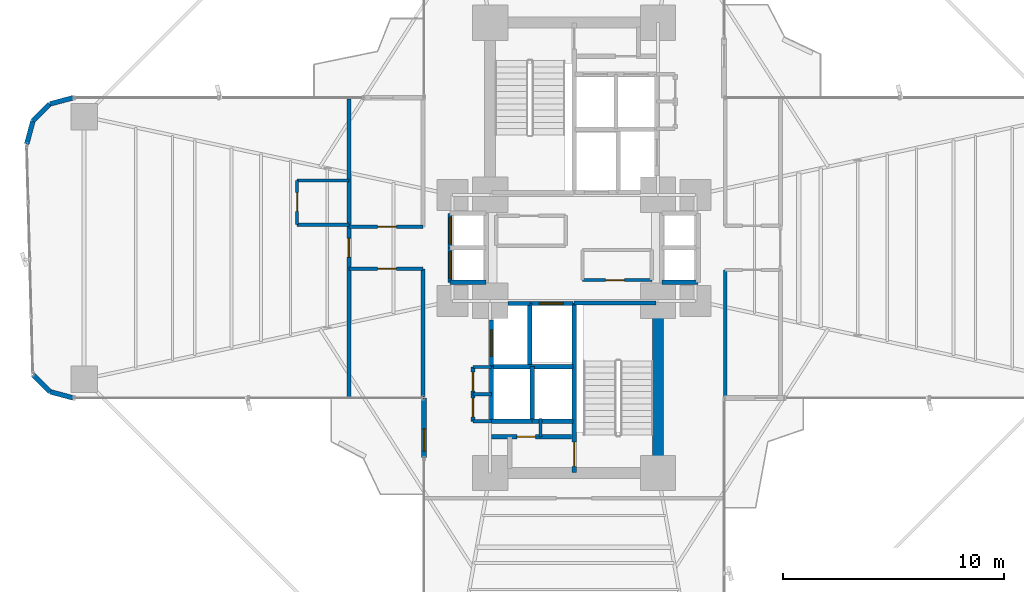
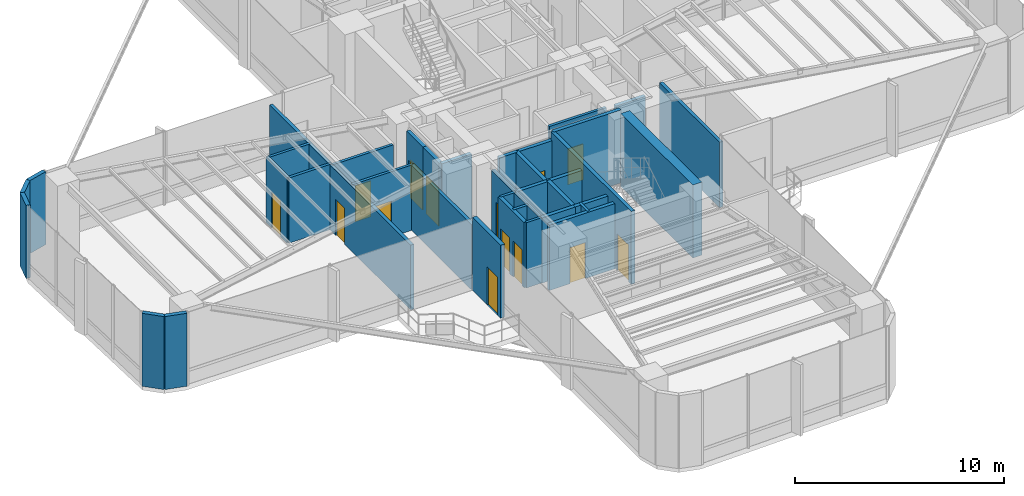
# One storey, part 16 of 20: 37 walls, 14 doors, 14 openings.
"""IFC4 building model written with IfcOpenShell, lengths in metres."""

from ifc_helpers import new_model, si_unit, direction, frame, frame_2d, origin, origin_2d, place, context, subcontext, project, spatial, rectangle, extrude, source, transform, mapped, material, layer, layer_set, type_object, element, fill, save


model = new_model("IFC4")

# Units and contexts
model_context = context("Model", 3, precision=1e-05, world=origin(), true_north=direction((0.0, 1.0)))
body_context = subcontext(model_context, "Body", "Model", "MODEL_VIEW")
ifc_project = project(units=[si_unit("LENGTHUNIT", "METRE"), si_unit("AREAUNIT", "SQUARE_METRE"), si_unit("VOLUMEUNIT", "CUBIC_METRE"), si_unit("PLANEANGLEUNIT", "RADIAN"), si_unit("MASSUNIT", "GRAM", prefix="KILO")], contexts=[model_context])

# Site, building, storey
site_placement = place(None, origin())
site = spatial("IfcSite", under=ifc_project, at=site_placement, CompositionType="ELEMENT")
building_placement = place(site_placement, origin())
building = spatial("IfcBuilding", under=site, at=building_placement, Name="Sahyath Konkavel Grand Hotel", CompositionType="ELEMENT")
storey_placement = place(building_placement, frame((0.0, 0.0, 46.550048828125)))
storey = spatial("IfcBuildingStorey", under=building, at=storey_placement, Name="L12", CompositionType="ELEMENT", Elevation=46.550048828125)

# Walls
ifc_material_1 = material(Name="Concrete C70/85", Category="concrete")
ifc_layer_1 = layer(ifc_material_1, 0.5)
ifc_layer_set_1 = layer_set([ifc_layer_1], Name="Concrete C70/85")
wall_type_1 = type_object("IfcWallType", Name="CWALL-500", PredefinedType="SHEAR", material=ifc_layer_set_1)
wall_1_placement = place(storey_placement, frame((3.800048828125, -9.75, 0.0), z_axis=(0.0, 0.0, 1.0), x_axis=(0.0, 1.0, 0.0)))
element("IfcWall", 1, at=wall_1_placement, inside=storey, type_object=wall_type_1, Name="L12 South Core Shear Wall E", PredefinedType="SHEAR", context=body_context, shape_type="SweptSolid", body=[
    extrude(rectangle(XDim=6.89990234375, YDim=0.5, at=frame_2d((3.449951171875, 0.0))), origin(), (0.0, 0.0, 1.0), 4.260009765625),
])
ifc_material_2 = material(Name="Warm Buff Sandstone Insulated Concrete C40/50", Category="masonry")
ifc_layer_2 = layer(ifc_material_2, 0.219970703125)
ifc_layer_set_2 = layer_set([ifc_layer_2], Name="Warm Buff Sandstone Insulated Concrete C40/50")
wall_type_2 = type_object("IfcWallType", Name="WLL-BALC-THRESH", PredefinedType="STANDARD", material=ifc_layer_set_2)
for number, where, z_axis, x_axis, name in (
    (2, (-22.699951171875, 6.800048828125, 0.0), (0.0, 0.0, 1.0), (-0.965951058412, -0.25872485917, 0.0), "L12 Rounded Corner Sandstone Pier 17"),
    (3, (-23.75, 6.518798828125, 0.0), (0.0, 0.0, 1.0), (-0.707106781187, -0.707106781187, 0.0), "L12 Rounded Corner Sandstone Pier 18"),
    (4, (-24.518798828125, 5.75, 0.0), (0.0, 0.0, 1.0), (-0.25872485917, -0.965951058412, 0.0), "L12 Rounded Corner Sandstone Pier 19"),
    (5, (-24.518798828125, -5.75, 0.0), (0.0, 0.0, 1.0), (0.707106781187, -0.707106781187, 0.0), "L12 Rounded Corner Sandstone Pier 21"),
    (6, (-23.75, -6.518798828125, 0.0), (0.0, 0.0, 1.0), (0.965951058412, -0.25872485917, 0.0), "L12 Rounded Corner Sandstone Pier 22"),
):
    element("IfcWall", number, at=place(storey_placement, frame(where, z_axis=z_axis, x_axis=x_axis)), inside=storey, type_object=wall_type_2, Name=name, PredefinedType="STANDARD", context=body_context, shape_type="SweptSolid", body=[
        extrude(rectangle(XDim=1.087158203125, YDim=0.219970703125, at=frame_2d((0.54345703125, 0.0))), origin(), (0.0, 0.0, 1.0), 4.260009765625),
    ])

# Wall, opening, door
wall_2_placement = place(storey_placement, frame((-6.800048828125, -6.800048828125, 0.0), z_axis=(0.0, 0.0, 1.0), x_axis=(0.0, -1.0, 0.0)))
wall_2 = element("IfcWall", 7, at=wall_2_placement, inside=storey, type_object=wall_type_2, Name="L12 Winter-Garden Threshold Wall 24", PredefinedType="STANDARD", context=body_context, shape_type="SweptSolid", body=[
    extrude(rectangle(XDim=2.699951171875, YDim=0.219970703125, at=frame_2d((1.35009765625, 0.0))), origin(), (0.0, 0.0, 1.0), 4.260009765625),
])
opening_1_placement = place(wall_2_placement, frame((1.39990234375, 0.0, 0.0)))
opening_1 = element("IfcOpeningElement", 8, at=opening_1_placement, cuts=wall_2, Name="Opening D-TR1", PredefinedType="OPENING", context=body_context, shape_type="SweptSolid", body=[
    extrude(rectangle(XDim=1.0, YDim=2.199951171875, at=frame_2d((0.5, 1.10009765625))), frame((0.0, 0.1201171875, 0.0), z_axis=(0.0, -1.0, 0.0), x_axis=(1.0, 0.0, 0.0)), (0.0, 0.0, 1.0), 0.239990234375),
])
ifc_material_3 = material(Name="Anodised Bronze Aluminium & Low-E Glazing", Category="aluminium")
door_type_1 = type_object("IfcDoorType", Name="DR-TERRACE-1000", OperationType="NOTDEFINED", PredefinedType="DOOR", material=ifc_material_3)
shared_shape_1 = source(origin(), body_context, "Body", "SweptSolid", [
    extrude(rectangle(XDim=1.0, YDim=0.050048828125, at=origin_2d()), origin(), (0.0, 0.0, 1.0), 2.199951171875),
])
door_1_placement = place(opening_1_placement, frame((0.5, 0.0, 0.0)))
door_1 = element("IfcDoor", 9, at=door_1_placement, inside=storey, type_object=door_type_1, Name="L12 Winter-Garden Terrace Door 24", OperationType="SINGLE_SWING_LEFT", OverallHeight=2.199951171875, OverallWidth=1.0, PredefinedType="DOOR", context=body_context, shape_type="MappedRepresentation", body=[
    mapped(shared_shape_1, transform((0.0, 0.0, 0.0), scale=1.0)),
])
fill(opening_1, door_1)

ifc_material_4 = material(Name="Concrete C40/50", Category="concrete")
ifc_layer_3 = layer(ifc_material_4, 0.199951171875)
ifc_layer_set_3 = layer_set([ifc_layer_3], Name="Concrete C40/50")
wall_type_3 = type_object("IfcWallType", Name="WLL-CORE-200", PredefinedType="SOLIDWALL", material=ifc_layer_set_3)
wall_3_placement = place(storey_placement, frame((0.0, -10.179931640625, 0.0), z_axis=(0.0, 0.0, 1.0), x_axis=(0.0, 1.0, 0.0)))
wall_3 = element("IfcWall", 10, at=wall_3_placement, inside=storey, type_object=wall_type_3, Name="L12 Stair ST-2 Shaft Wall W", PredefinedType="SOLIDWALL", context=body_context, shape_type="SweptSolid", body=[
    extrude(rectangle(XDim=7.679931640625, YDim=0.199951171875, at=frame_2d((3.83984375, 0.0))), origin(), (0.0, 0.0, 1.0), 4.260009765625),
])
opening_2_placement = place(wall_3_placement, frame((0.280029296875, 0.0, 0.0)))
opening_2 = element("IfcOpeningElement", 11, at=opening_2_placement, cuts=wall_3, Name="Opening D-F12B", PredefinedType="OPENING", context=body_context, shape_type="SweptSolid", body=[
    extrude(rectangle(XDim=1.10009765625, YDim=2.14990234375, at=frame_2d((0.550048828125, 1.074951171875))), frame((0.0, 0.10986328125, 0.0), z_axis=(0.0, -1.0, 0.0), x_axis=(1.0, 0.0, 0.0)), (0.0, 0.0, 1.0), 0.219970703125),
])
ifc_material_5 = material(Name="Steel E350 Smokeproof Fire Door", Category="steel")
door_type_2 = type_object("IfcDoorType", Name="DR-FD120-1100", OperationType="NOTDEFINED", PredefinedType="DOOR", material=ifc_material_5)
shared_shape_2 = source(origin(), body_context, "Body", "SweptSolid", [
    extrude(rectangle(XDim=1.10009765625, YDim=0.050048828125, at=origin_2d()), origin(), (0.0, 0.0, 1.0), 2.14990234375),
])
door_2_placement = place(opening_2_placement, frame((0.550048828125, 0.0, 0.0)))
door_2 = element("IfcDoor", 12, at=door_2_placement, inside=storey, type_object=door_type_2, Name="L12 Stair ST-2 Fire Door", OperationType="SINGLE_SWING_RIGHT", OverallHeight=2.14990234375, OverallWidth=1.10009765625, PredefinedType="DOOR", context=body_context, shape_type="MappedRepresentation", body=[
    mapped(shared_shape_2, transform((0.0, 0.0, 0.0), scale=1.0)),
])
fill(opening_2, door_2)

# Walls
wall_4_placement = place(storey_placement, frame((0.0, -2.5, 0.0), z_axis=(0.0, 0.0, 1.0), x_axis=(1.0, 0.0, 0.0)))
element("IfcWall", 13, at=wall_4_placement, inside=storey, type_object=wall_type_3, Name="L12 Stair ST-2 Shaft Wall N", PredefinedType="SOLIDWALL", context=body_context, shape_type="SweptSolid", body=[
    extrude(rectangle(XDim=3.719970703125, YDim=0.199951171875, at=frame_2d((1.85986328125, 0.0))), origin(), (0.0, 0.0, 1.0), 4.260009765625),
])
wall_5_placement = place(storey_placement, frame((-2.0, -5.280029296875, 0.0), z_axis=(0.0, 0.0, 1.0), x_axis=(0.0, 1.0, 0.0)))
element("IfcWall", 14, at=wall_5_placement, inside=storey, type_object=wall_type_3, Name="L12 Partition SH-FFL2-W", PredefinedType="SOLIDWALL", context=body_context, shape_type="SweptSolid", body=[
    extrude(rectangle(XDim=2.780029296875, YDim=0.199951171875, at=frame_2d((1.39013671875, 0.0))), origin(), (0.0, 0.0, 1.0), 3.81005859375),
])

# Wall, opening, door
wall_6_placement = place(storey_placement, frame((-2.0, -2.52001953125, 0.0), z_axis=(0.0, 0.0, 1.0), x_axis=(1.0, 0.0, 0.0)))
wall_6 = element("IfcWall", 15, at=wall_6_placement, inside=storey, type_object=wall_type_3, Name="L12 Partition SH-FFL2-N", PredefinedType="SOLIDWALL", context=body_context, shape_type="SweptSolid", body=[
    extrude(rectangle(XDim=1.949951171875, YDim=0.199951171875, at=frame_2d((0.97509765625, 0.0))), origin(), (0.0, 0.0, 1.0), 3.81005859375),
])
opening_3_placement = place(wall_6_placement, frame((0.419921875, 0.0, 0.0)))
opening_3 = element("IfcOpeningElement", 16, at=opening_3_placement, cuts=wall_6, Name="Opening LD-11", PredefinedType="OPENING", context=body_context, shape_type="SweptSolid", body=[
    extrude(rectangle(XDim=1.10009765625, YDim=2.199951171875, at=frame_2d((0.550048828125, 1.10009765625))), frame((0.0, 0.10986328125, 0.0), z_axis=(0.0, -1.0, 0.0), x_axis=(1.0, 0.0, 0.0)), (0.0, 0.0, 1.0), 0.219970703125),
])
ifc_material_6 = material(Name="Bronze Lift Landing Door 1100")
door_type_3 = type_object("IfcDoorType", Name="DR-LIFT-1100", OperationType="DOUBLE_DOOR_SLIDING", PredefinedType="DOOR", material=ifc_material_6)
shared_shape_3 = source(origin(), body_context, "Body", "SweptSolid", [
    extrude(rectangle(XDim=1.10009765625, YDim=0.050048828125, at=origin_2d()), origin(), (0.0, 0.0, 1.0), 2.199951171875),
])
door_3_placement = place(opening_3_placement, frame((0.550048828125, 0.0, 0.0)))
door_3 = element("IfcDoor", 17, at=door_3_placement, inside=storey, type_object=door_type_3, Name="L12 Lift FFL-2 Landing Door", OperationType="DOUBLE_DOOR_SLIDING", OverallHeight=2.199951171875, OverallWidth=1.10009765625, PredefinedType="DOOR", context=body_context, shape_type="MappedRepresentation", body=[
    mapped(shared_shape_3, transform((0.0, 0.0, 0.0), scale=1.0)),
])
fill(opening_3, door_3)

# Wall
wall_7_placement = place(storey_placement, frame((-3.0, -2.52001953125, 0.0), z_axis=(0.0, 0.0, 1.0), x_axis=(1.0, 0.0, 0.0)))
element("IfcWall", 18, at=wall_7_placement, inside=storey, type_object=wall_type_3, Name="L12 Partition SH-SVL2-N", PredefinedType="SOLIDWALL", context=body_context, shape_type="SweptSolid", body=[
    extrude(rectangle(XDim=1.0, YDim=0.199951171875, at=frame_2d((0.5, 0.0))), origin(), (0.0, 0.0, 1.0), 3.81005859375),
])

# Wall, opening, door
wall_8_placement = place(storey_placement, frame((-3.739990234375, -5.360107421875, 0.0), z_axis=(0.0, 0.0, 1.0), x_axis=(0.0, 1.0, 0.0)))
wall_8 = element("IfcWall", 19, at=wall_8_placement, inside=storey, type_object=wall_type_3, Name="L12 Partition SH-SVL2-W", PredefinedType="SOLIDWALL", context=body_context, shape_type="SweptSolid", body=[
    extrude(rectangle(XDim=2.080078125, YDim=0.199951171875, at=frame_2d((1.0400390625, 0.0))), origin(), (0.0, 0.0, 1.0), 3.81005859375),
])
opening_4_placement = place(wall_8_placement, frame((0.43994140625, 0.0, 0.0)))
opening_4 = element("IfcOpeningElement", 20, at=opening_4_placement, cuts=wall_8, Name="Opening LD-12", PredefinedType="OPENING", context=body_context, shape_type="SweptSolid", body=[
    extrude(rectangle(XDim=1.199951171875, YDim=2.199951171875, at=frame_2d((0.60009765625, 1.10009765625))), frame((0.0, 0.10986328125, 0.0), z_axis=(0.0, -1.0, 0.0), x_axis=(1.0, 0.0, 0.0)), (0.0, 0.0, 1.0), 0.219970703125),
])
ifc_material_7 = material(Name="Stainless Steel Lift Landing Door 1200", Category="steel")
door_type_4 = type_object("IfcDoorType", Name="DR-LIFT-1200", OperationType="DOUBLE_DOOR_SLIDING", PredefinedType="DOOR", material=ifc_material_7)
shared_shape_4 = source(origin(), body_context, "Body", "SweptSolid", [
    extrude(rectangle(XDim=1.199951171875, YDim=0.050048828125, at=origin_2d()), origin(), (0.0, 0.0, 1.0), 2.199951171875),
])
door_4_placement = place(opening_4_placement, frame((0.60009765625, 0.0, 0.0)))
door_4 = element("IfcDoor", 21, at=door_4_placement, inside=storey, type_object=door_type_4, Name="L12 Service Lift SVL-2 Landing Door", OperationType="DOUBLE_DOOR_SLIDING", OverallHeight=2.199951171875, OverallWidth=1.199951171875, PredefinedType="DOOR", context=body_context, shape_type="MappedRepresentation", body=[
    mapped(shared_shape_4, transform((0.0, 0.0, 0.0), scale=1.0)),
])
fill(opening_4, door_4)

# Walls
wall_9_placement = place(storey_placement, frame((-3.739990234375, -7.860107421875, 0.0), z_axis=(0.0, 0.0, 1.0), x_axis=(0.0, 1.0, 0.0)))
element("IfcWall", 22, at=wall_9_placement, inside=storey, type_object=wall_type_3, Name="L12 Partition SH-PL3-W", PredefinedType="SOLIDWALL", context=body_context, shape_type="SweptSolid", body=[
    extrude(rectangle(XDim=2.480224609375, YDim=0.199951171875, at=frame_2d((1.240234375, 0.0))), origin(), (0.0, 0.0, 1.0), 3.81005859375),
])
wall_10_placement = place(storey_placement, frame((-3.739990234375, -7.860107421875, 0.0), z_axis=(0.0, 0.0, 1.0), x_axis=(1.0, 0.0, 0.0)))
element("IfcWall", 23, at=wall_10_placement, inside=storey, type_object=wall_type_3, Name="L12 Partition SH-PL3-S", PredefinedType="SOLIDWALL", context=body_context, shape_type="SweptSolid", body=[
    extrude(rectangle(XDim=1.840087890625, YDim=0.199951171875, at=frame_2d((0.919921875, 0.0))), origin(), (0.0, 0.0, 1.0), 3.81005859375),
])
wall_11_placement = place(storey_placement, frame((-3.739990234375, -5.3798828125, 0.0), z_axis=(0.0, 0.0, 1.0), x_axis=(1.0, 0.0, 0.0)))
element("IfcWall", 24, at=wall_11_placement, inside=storey, type_object=wall_type_3, Name="L12 Partition SH-PL34-N", PredefinedType="SOLIDWALL", context=body_context, shape_type="SweptSolid", body=[
    extrude(rectangle(XDim=3.68994140625, YDim=0.199951171875, at=frame_2d((1.844970703125, 0.0))), origin(), (0.0, 0.0, 1.0), 3.81005859375),
])
wall_12_placement = place(storey_placement, frame((-1.89990234375, -7.860107421875, 0.0), z_axis=(0.0, 0.0, 1.0), x_axis=(0.0, 1.0, 0.0)))
element("IfcWall", 25, at=wall_12_placement, inside=storey, type_object=wall_type_3, Name="L12 Partition SH-PL34-M", PredefinedType="SOLIDWALL", context=body_context, shape_type="SweptSolid", body=[
    extrude(rectangle(XDim=2.480224609375, YDim=0.199951171875, at=frame_2d((1.240234375, 0.0))), origin(), (0.0, 0.0, 1.0), 3.81005859375),
])
wall_13_placement = place(storey_placement, frame((-1.89990234375, -7.860107421875, 0.0), z_axis=(0.0, 0.0, 1.0), x_axis=(1.0, 0.0, 0.0)))
element("IfcWall", 26, at=wall_13_placement, inside=storey, type_object=wall_type_3, Name="L12 Partition SH-PL4-S", PredefinedType="SOLIDWALL", context=body_context, shape_type="SweptSolid", body=[
    extrude(rectangle(XDim=1.849853515625, YDim=0.199951171875, at=frame_2d((0.9248046875, 0.0))), origin(), (0.0, 0.0, 1.0), 3.81005859375),
])
for number, where, z_axis, x_axis, name in (
    (27, (3.97998046875, -1.56005859375, 0.0), (0.0, 0.0, 1.0), (1.0, 0.0, 0.0), "L12 Partition SH-PL56-S"),
    (28, (-5.6201171875, -1.56005859375, 0.0), (0.0, 0.0, 1.0), (1.0, 0.0, 0.0), "L12 Partition SH-SL12-S"),
):
    element("IfcWall", number, at=place(storey_placement, frame(where, z_axis=z_axis, x_axis=x_axis)), inside=storey, type_object=wall_type_3, Name=name, PredefinedType="SOLIDWALL", context=body_context, shape_type="SweptSolid", body=[
        extrude(rectangle(XDim=1.64013671875, YDim=0.199951171875, at=frame_2d((0.820068359375, 0.0))), origin(), (0.0, 0.0, 1.0), 3.81005859375),
    ])

# Wall, opening, door
wall_14_placement = place(storey_placement, frame((-5.6201171875, 0.0, 0.0), z_axis=(0.0, 0.0, 1.0), x_axis=(0.0, 1.0, 0.0)))
wall_14 = element("IfcWall", 29, at=wall_14_placement, inside=storey, type_object=wall_type_3, Name="L12 Partition SH-SL1-W", PredefinedType="SOLIDWALL", context=body_context, shape_type="SweptSolid", body=[
    extrude(rectangle(XDim=1.56005859375, YDim=0.199951171875, at=frame_2d((0.780029296875, 0.0))), origin(), (0.0, 0.0, 1.0), 3.81005859375),
])
opening_5_placement = place(wall_14_placement, frame((0.179931640625, 0.0, 0.0)))
opening_5 = element("IfcOpeningElement", 30, at=opening_5_placement, cuts=wall_14, Name="Opening LD-12", PredefinedType="OPENING", context=body_context, shape_type="SweptSolid", body=[
    extrude(rectangle(XDim=1.199951171875, YDim=2.199951171875, at=frame_2d((0.60009765625, 1.10009765625))), frame((0.0, 0.10986328125, 0.0), z_axis=(0.0, -1.0, 0.0), x_axis=(1.0, 0.0, 0.0)), (0.0, 0.0, 1.0), 0.219970703125),
])
door_5_placement = place(opening_5_placement, frame((0.60009765625, 0.0, 0.0)))
door_5 = element("IfcDoor", 31, at=door_5_placement, inside=storey, type_object=door_type_4, Name="L12 Express Shuttle SL-1 Landing Door", OperationType="DOUBLE_DOOR_SLIDING", OverallHeight=2.199951171875, OverallWidth=1.199951171875, PredefinedType="DOOR", context=body_context, shape_type="MappedRepresentation", body=[
    mapped(shared_shape_4, transform((0.0, 0.0, 0.0), scale=1.0)),
])
fill(opening_5, door_5)

wall_15_placement = place(storey_placement, frame((-5.6201171875, -1.56005859375, 0.0), z_axis=(0.0, 0.0, 1.0), x_axis=(0.0, 1.0, 0.0)))
wall_15 = element("IfcWall", 32, at=wall_15_placement, inside=storey, type_object=wall_type_3, Name="L12 Partition SH-SL2-W", PredefinedType="SOLIDWALL", context=body_context, shape_type="SweptSolid", body=[
    extrude(rectangle(XDim=1.56005859375, YDim=0.199951171875, at=frame_2d((0.780029296875, 0.0))), origin(), (0.0, 0.0, 1.0), 3.81005859375),
])
opening_6_placement = place(wall_15_placement, frame((0.179931640625, 0.0, 0.0)))
opening_6 = element("IfcOpeningElement", 33, at=opening_6_placement, cuts=wall_15, Name="Opening LD-12", PredefinedType="OPENING", context=body_context, shape_type="SweptSolid", body=[
    extrude(rectangle(XDim=1.199951171875, YDim=2.199951171875, at=frame_2d((0.60009765625, 1.10009765625))), frame((0.0, 0.10986328125, 0.0), z_axis=(0.0, -1.0, 0.0), x_axis=(1.0, 0.0, 0.0)), (0.0, 0.0, 1.0), 0.219970703125),
])
door_6_placement = place(opening_6_placement, frame((0.60009765625, 0.0, 0.0)))
door_6 = element("IfcDoor", 34, at=door_6_placement, inside=storey, type_object=door_type_4, Name="L12 Express Shuttle SL-2 Landing Door", OperationType="DOUBLE_DOOR_SLIDING", OverallHeight=2.199951171875, OverallWidth=1.199951171875, PredefinedType="DOOR", context=body_context, shape_type="MappedRepresentation", body=[
    mapped(shared_shape_4, transform((0.0, 0.0, 0.0), scale=1.0)),
])
fill(opening_6, door_6)

wall_16_placement = place(storey_placement, frame((-3.739990234375, -8.56005859375, 0.0), z_axis=(0.0, 0.0, 1.0), x_axis=(1.0, 0.0, 0.0)))
wall_16 = element("IfcWall", 35, at=wall_16_placement, inside=storey, type_object=wall_type_3, Name="L12 South FF Lobby Separation Wall", PredefinedType="SOLIDWALL", context=body_context, shape_type="SweptSolid", body=[
    extrude(rectangle(XDim=3.619873046875, YDim=0.199951171875, at=frame_2d((1.81005859375, 0.0))), origin(), (0.0, 0.0, 1.0), 3.81005859375),
])
opening_7_placement = place(wall_16_placement, frame((1.14990234375, 0.0, 0.0)))
opening_7 = element("IfcOpeningElement", 36, at=opening_7_placement, cuts=wall_16, Name="Opening D-F12D", PredefinedType="OPENING", context=body_context, shape_type="SweptSolid", body=[
    extrude(rectangle(XDim=0.85009765625, YDim=2.10009765625, at=frame_2d((0.425048828125, 1.050048828125))), frame((0.0, 0.10986328125, 0.0), z_axis=(0.0, -1.0, 0.0), x_axis=(1.0, 0.0, 0.0)), (0.0, 0.0, 1.0), 0.219970703125),
])
ifc_material_8 = material(Name="Steel E350 Core Fire Door", Category="steel")
door_type_5 = type_object("IfcDoorType", Name="DR-FD120-850", OperationType="NOTDEFINED", PredefinedType="DOOR", material=ifc_material_8)
shared_shape_5 = source(origin(), body_context, "Body", "SweptSolid", [
    extrude(rectangle(XDim=0.85009765625, YDim=0.050048828125, at=origin_2d()), origin(), (0.0, 0.0, 1.0), 2.10009765625),
])
door_7_placement = place(opening_7_placement, frame((0.425048828125, 0.0, 0.0)))
door_7 = element("IfcDoor", 37, at=door_7_placement, inside=storey, type_object=door_type_5, Name="L12 South Firefighting Lobby Door", OperationType="SINGLE_SWING_LEFT", OverallHeight=2.10009765625, OverallWidth=0.85009765625, PredefinedType="DOOR", context=body_context, shape_type="MappedRepresentation", body=[
    mapped(shared_shape_5, transform((0.0, 0.0, 0.0), scale=1.0)),
])
fill(opening_7, door_7)

# Wall, openings, doors
wall_17_placement = place(storey_placement, frame((-4.580078125, -7.860107421875, 0.0), z_axis=(0.0, 0.0, 1.0), x_axis=(0.0, 1.0, 0.0)))
wall_17 = element("IfcWall", 38, at=wall_17_placement, inside=storey, type_object=wall_type_3, Name="L12 Partition SC-FLK-W", PredefinedType="SOLIDWALL", context=body_context, shape_type="SweptSolid", body=[
    extrude(rectangle(XDim=2.460205078125, YDim=0.199951171875, at=frame_2d((1.22998046875, 0.0))), origin(), (0.0, 0.0, 1.0), 3.81005859375),
])
opening_8_placement = place(wall_17_placement, frame((0.199951171875, 0.0, 0.0)))
opening_8 = element("IfcOpeningElement", 39, at=opening_8_placement, cuts=wall_17, Name="Opening D-F06D", PredefinedType="OPENING", context=body_context, shape_type="SweptSolid", body=[
    extrude(rectangle(XDim=0.85009765625, YDim=2.10009765625, at=frame_2d((0.425048828125, 1.050048828125))), frame((0.0, 0.10986328125, 0.0), z_axis=(0.0, -1.0, 0.0), x_axis=(1.0, 0.0, 0.0)), (0.0, 0.0, 1.0), 0.219970703125),
])
opening_9_placement = place(wall_17_placement, frame((1.3798828125, 0.0, 0.0)))
opening_9 = element("IfcOpeningElement", 40, at=opening_9_placement, cuts=wall_17, Name="Opening D-F06D", PredefinedType="OPENING", context=body_context, shape_type="SweptSolid", body=[
    extrude(rectangle(XDim=0.85009765625, YDim=2.10009765625, at=frame_2d((0.425048828125, 1.050048828125))), frame((0.0, 0.10986328125, 0.0), z_axis=(0.0, -1.0, 0.0), x_axis=(1.0, 0.0, 0.0)), (0.0, 0.0, 1.0), 0.219970703125),
])
ifc_material_9 = material(Name="Fire-Rated Shaft Access Door")
door_type_6 = type_object("IfcDoorType", Name="DR-FD60-850", OperationType="NOTDEFINED", PredefinedType="DOOR", material=ifc_material_9)
door_8_placement = place(opening_8_placement, frame((0.425048828125, 0.0, 0.0)))
door_8 = element("IfcDoor", 41, at=door_8_placement, inside=storey, type_object=door_type_6, Name="L12 Door SC-FLK1-D", OperationType="SINGLE_SWING_LEFT", OverallHeight=2.10009765625, OverallWidth=0.85009765625, PredefinedType="DOOR", context=body_context, shape_type="MappedRepresentation", body=[
    mapped(shared_shape_5, transform((0.0, 0.0, 0.0), scale=1.0)),
])
fill(opening_8, door_8)
door_9_placement = place(opening_9_placement, frame((0.425048828125, 0.0, 0.0)))
door_9 = element("IfcDoor", 42, at=door_9_placement, inside=storey, type_object=door_type_6, Name="L12 Door SC-FLK2-D", OperationType="SINGLE_SWING_RIGHT", OverallHeight=2.10009765625, OverallWidth=0.85009765625, PredefinedType="DOOR", context=body_context, shape_type="MappedRepresentation", body=[
    mapped(shared_shape_5, transform((0.0, 0.0, 0.0), scale=1.0)),
])
fill(opening_9, door_9)

# Walls
ifc_material_10 = material(Name="Twin-Stud Acoustic Gypsum Plasterboard Partition")
ifc_layer_4 = layer(ifc_material_10, 0.179931640625)
ifc_layer_set_4 = layer_set([ifc_layer_4], Name="Twin-Stud Acoustic Gypsum Plasterboard Partition")
wall_type_4 = type_object("IfcWallType", Name="WLL-DEMISE-180", PredefinedType="PARTITIONING", material=ifc_layer_set_4)
wall_18_placement = place(storey_placement, frame((6.85009765625, -6.75, 0.0), z_axis=(0.0, 0.0, 1.0), x_axis=(0.0, 1.0, 0.0)))
element("IfcWall", 43, at=wall_18_placement, inside=storey, type_object=wall_type_4, Name="L12 Partition E-I0R", PredefinedType="PARTITIONING", context=body_context, shape_type="SweptSolid", body=[
    extrude(rectangle(XDim=5.75, YDim=0.179931640625, at=frame_2d((2.875, 0.0))), origin(), (0.0, 0.0, 1.0), 3.81005859375),
])
wall_19_placement = place(storey_placement, frame((-6.85009765625, -0.949951171875, 0.0), z_axis=(0.0, 0.0, 1.0), x_axis=(0.0, -1.0, 0.0)))
element("IfcWall", 44, at=wall_19_placement, inside=storey, type_object=wall_type_4, Name="L12 Partition W-INL", PredefinedType="PARTITIONING", context=body_context, shape_type="SweptSolid", body=[
    extrude(rectangle(XDim=5.800048828125, YDim=0.179931640625, at=frame_2d((2.89990234375, 0.0))), origin(), (0.0, 0.0, 1.0), 3.81005859375),
])

# Wall, opening, door
wall_20_placement = place(storey_placement, frame((-10.199951171875, 6.75, 0.0), z_axis=(0.0, 0.0, 1.0), x_axis=(0.0, -1.0, 0.0)))
wall_20 = element("IfcWall", 45, at=wall_20_placement, inside=storey, type_object=wall_type_4, Name="L12 Partition W-WTIP-END", PredefinedType="PARTITIONING", context=body_context, shape_type="SweptSolid", body=[
    extrude(rectangle(XDim=13.5, YDim=0.179931640625, at=frame_2d((6.75, 0.0))), origin(), (0.0, 0.0, 1.0), 3.780029296875),
])
opening_10_placement = place(wall_20_placement, frame((6.324951171875, 0.0, 0.0)))
opening_10 = element("IfcOpeningElement", 46, at=opening_10_placement, cuts=wall_20, Name="Opening D-F06D", PredefinedType="OPENING", context=body_context, shape_type="SweptSolid", body=[
    extrude(rectangle(XDim=0.85009765625, YDim=2.10009765625, at=frame_2d((0.425048828125, 1.050048828125))), frame((0.0, 0.10009765625, 0.0), z_axis=(0.0, -1.0, 0.0), x_axis=(1.0, 0.0, 0.0)), (0.0, 0.0, 1.0), 0.199951171875),
])
door_10_placement = place(opening_10_placement, frame((0.425048828125, 0.0, 0.0)))
door_10 = element("IfcDoor", 47, at=door_10_placement, inside=storey, type_object=door_type_6, Name="L12 Door W-WTIP-ED", OperationType="SINGLE_SWING_RIGHT", OverallHeight=2.10009765625, OverallWidth=0.85009765625, PredefinedType="DOOR", context=body_context, shape_type="MappedRepresentation", body=[
    mapped(shared_shape_5, transform((0.0, 0.0, 0.0), scale=1.0)),
])
fill(opening_10, door_10)

# Walls
ifc_material_11 = material(Name="Fire-Rated Gypsum Plasterboard Partition")
ifc_layer_5 = layer(ifc_material_11, 0.14990234375)
ifc_layer_set_5 = layer_set([ifc_layer_5], Name="Fire-Rated Gypsum Plasterboard Partition")
wall_type_5 = type_object("IfcWallType", Name="WLL-PART-150", PredefinedType="PARTITIONING", material=ifc_layer_set_5)
wall_21_placement = place(storey_placement, frame((-1.52001953125, -8.56005859375, 0.0), z_axis=(0.0, 0.0, 1.0), x_axis=(0.0, 1.0, 0.0)))
element("IfcWall", 48, at=wall_21_placement, inside=storey, type_object=wall_type_5, Name="L12 Partition SC-VST-E", PredefinedType="PARTITIONING", context=body_context, shape_type="SweptSolid", body=[
    extrude(rectangle(XDim=0.820068359375, YDim=0.14990234375, at=frame_2d((0.41015625, 0.0))), origin(), (0.0, 0.0, 1.0), 3.81005859375),
])
for number, where, z_axis, x_axis, name in (
    (49, (-4.580078125, -5.39990234375, 0.0), (0.0, 0.0, 1.0), (1.0, 0.0, 0.0), "L12 Partition SC-FLK-N"),
    (50, (-4.580078125, -7.860107421875, 0.0), (0.0, 0.0, 1.0), (1.0, 0.0, 0.0), "L12 Partition SC-FLK-S"),
    (51, (-4.580078125, -6.6298828125, 0.0), (0.0, 0.0, 1.0), (1.0, 0.0, 0.0), "L12 Partition SC-FLK-M"),
):
    element("IfcWall", number, at=place(storey_placement, frame(where, z_axis=z_axis, x_axis=x_axis)), inside=storey, type_object=wall_type_5, Name=name, PredefinedType="PARTITIONING", context=body_context, shape_type="SweptSolid", body=[
        extrude(rectangle(XDim=0.840087890625, YDim=0.14990234375, at=frame_2d((0.419921875, 0.0))), origin(), (0.0, 0.0, 1.0), 3.81005859375),
    ])

# Wall, opening, door
wall_22_placement = place(storey_placement, frame((0.3798828125, -1.4599609375, 0.0), z_axis=(0.0, 0.0, 1.0), x_axis=(1.0, 0.0, 0.0)))
wall_22 = element("IfcWall", 52, at=wall_22_placement, inside=storey, type_object=wall_type_5, Name="L12 Partition CC-3SES", PredefinedType="PARTITIONING", context=body_context, shape_type="SweptSolid", body=[
    extrude(rectangle(XDim=3.14013671875, YDim=0.14990234375, at=frame_2d((1.570068359375, 0.0))), origin(), (0.0, 0.0, 1.0), 3.81005859375),
])
opening_11_placement = place(wall_22_placement, frame((1.050048828125, 0.0, 0.0)))
opening_11 = element("IfcOpeningElement", 53, at=opening_11_placement, cuts=wall_22, Name="Opening D-F06D", PredefinedType="OPENING", context=body_context, shape_type="SweptSolid", body=[
    extrude(rectangle(XDim=0.85009765625, YDim=2.10009765625, at=frame_2d((0.425048828125, 1.050048828125))), frame((0.0, 0.0849609375, 0.0), z_axis=(0.0, -1.0, 0.0), x_axis=(1.0, 0.0, 0.0)), (0.0, 0.0, 1.0), 0.169921875),
])
door_11_placement = place(opening_11_placement, frame((0.425048828125, 0.0, 0.0)))
door_11 = element("IfcDoor", 54, at=door_11_placement, inside=storey, type_object=door_type_6, Name="L12 Door CC-D3SE", OperationType="SINGLE_SWING_RIGHT", OverallHeight=2.10009765625, OverallWidth=0.85009765625, PredefinedType="DOOR", context=body_context, shape_type="MappedRepresentation", body=[
    mapped(shared_shape_5, transform((0.0, 0.0, 0.0), scale=1.0)),
])
fill(opening_11, door_11)

wall_23_placement = place(storey_placement, frame((-6.85009765625, -0.949951171875, 0.0), z_axis=(0.0, 0.0, 1.0), x_axis=(-1.0, 0.0, 0.0)))
wall_23 = element("IfcWall", 55, at=wall_23_placement, inside=storey, type_object=wall_type_5, Name="L12 Partition W-CL", PredefinedType="PARTITIONING", context=body_context, shape_type="SweptSolid", body=[
    extrude(rectangle(XDim=3.349853515625, YDim=0.14990234375, at=frame_2d((1.6748046875, 0.0))), origin(), (0.0, 0.0, 1.0), 3.81005859375),
])
opening_12_placement = place(wall_23_placement, frame((1.199951171875, 0.0, 0.0)))
opening_12 = element("IfcOpeningElement", 56, at=opening_12_placement, cuts=wall_23, Name="Opening D-F06D", PredefinedType="OPENING", context=body_context, shape_type="SweptSolid", body=[
    extrude(rectangle(XDim=0.85009765625, YDim=2.10009765625, at=frame_2d((0.425048828125, 1.050048828125))), frame((0.0, 0.0849609375, 0.0), z_axis=(0.0, -1.0, 0.0), x_axis=(1.0, 0.0, 0.0)), (0.0, 0.0, 1.0), 0.169921875),
])
door_12_placement = place(opening_12_placement, frame((0.425048828125, 0.0, 0.0)))
door_12 = element("IfcDoor", 57, at=door_12_placement, inside=storey, type_object=door_type_6, Name="L12 Door W-WS3L-D", OperationType="SINGLE_SWING_LEFT", OverallHeight=2.10009765625, OverallWidth=0.85009765625, PredefinedType="DOOR", context=body_context, shape_type="MappedRepresentation", body=[
    mapped(shared_shape_5, transform((0.0, 0.0, 0.0), scale=1.0)),
])
fill(opening_12, door_12)

wall_24_placement = place(storey_placement, frame((-6.85009765625, 0.949951171875, 0.0), z_axis=(0.0, 0.0, 1.0), x_axis=(-1.0, 0.0, 0.0)))
wall_24 = element("IfcWall", 58, at=wall_24_placement, inside=storey, type_object=wall_type_5, Name="L12 Partition W-CR", PredefinedType="PARTITIONING", context=body_context, shape_type="SweptSolid", body=[
    extrude(rectangle(XDim=3.349853515625, YDim=0.14990234375, at=frame_2d((1.6748046875, 0.0))), origin(), (0.0, 0.0, 1.0), 3.81005859375),
])
opening_13_placement = place(wall_24_placement, frame((1.199951171875, 0.0, 0.0)))
opening_13 = element("IfcOpeningElement", 59, at=opening_13_placement, cuts=wall_24, Name="Opening D-F06D", PredefinedType="OPENING", context=body_context, shape_type="SweptSolid", body=[
    extrude(rectangle(XDim=0.85009765625, YDim=2.10009765625, at=frame_2d((0.425048828125, 1.050048828125))), frame((0.0, 0.0849609375, 0.0), z_axis=(0.0, -1.0, 0.0), x_axis=(1.0, 0.0, 0.0)), (0.0, 0.0, 1.0), 0.169921875),
])
door_13_placement = place(opening_13_placement, frame((0.425048828125, 0.0, 0.0)))
door_13 = element("IfcDoor", 60, at=door_13_placement, inside=storey, type_object=door_type_6, Name="L12 Door W-WHK-D", OperationType="SINGLE_SWING_RIGHT", OverallHeight=2.10009765625, OverallWidth=0.85009765625, PredefinedType="DOOR", context=body_context, shape_type="MappedRepresentation", body=[
    mapped(shared_shape_5, transform((0.0, 0.0, 0.0), scale=1.0)),
])
fill(opening_13, door_13)

# Walls
wall_25_placement = place(storey_placement, frame((-10.199951171875, 1.050048828125, 0.0), z_axis=(0.0, 0.0, 1.0), x_axis=(-1.0, 0.0, 0.0)))
element("IfcWall", 61, at=wall_25_placement, inside=storey, type_object=wall_type_5, Name="L12 Partition W-WTIP-BN", PredefinedType="PARTITIONING", context=body_context, shape_type="SweptSolid", body=[
    extrude(rectangle(XDim=2.35009765625, YDim=0.14990234375, at=frame_2d((1.175048828125, 0.0))), origin(), (0.0, 0.0, 1.0), 3.81005859375),
])
wall_26_placement = place(storey_placement, frame((-10.199951171875, 3.050048828125, 0.0), z_axis=(0.0, 0.0, 1.0), x_axis=(-1.0, 0.0, 0.0)))
element("IfcWall", 62, at=wall_26_placement, inside=storey, type_object=wall_type_5, Name="L12 Partition W-WTIP-BS", PredefinedType="PARTITIONING", context=body_context, shape_type="SweptSolid", body=[
    extrude(rectangle(XDim=2.35009765625, YDim=0.14990234375, at=frame_2d((1.175048828125, 0.0))), origin(), (0.0, 0.0, 1.0), 3.780029296875),
])

# Wall, opening, door
wall_27_placement = place(storey_placement, frame((-12.550048828125, 3.050048828125, 0.0), z_axis=(0.0, 0.0, 1.0), x_axis=(0.0, -1.0, 0.0)))
wall_27 = element("IfcWall", 63, at=wall_27_placement, inside=storey, type_object=wall_type_5, Name="L12 Partition W-WTIP-BE", PredefinedType="PARTITIONING", context=body_context, shape_type="SweptSolid", body=[
    extrude(rectangle(XDim=2.0, YDim=0.14990234375, at=frame_2d((1.0, 0.0))), origin(), (0.0, 0.0, 1.0), 3.81005859375),
])
opening_14_placement = place(wall_27_placement, frame((0.550048828125, 0.0, 0.0)))
opening_14 = element("IfcOpeningElement", 64, at=opening_14_placement, cuts=wall_27, Name="Opening D-BT85", PredefinedType="OPENING", context=body_context, shape_type="SweptSolid", body=[
    extrude(rectangle(XDim=0.85009765625, YDim=2.10009765625, at=frame_2d((0.425048828125, 1.050048828125))), frame((0.0, 0.0849609375, 0.0), z_axis=(0.0, -1.0, 0.0), x_axis=(1.0, 0.0, 0.0)), (0.0, 0.0, 1.0), 0.169921875),
])
ifc_material_12 = material(Name="Moisture-Resistant Teak Bathroom Door")
door_type_7 = type_object("IfcDoorType", Name="DR-BATH-850", OperationType="NOTDEFINED", PredefinedType="DOOR", material=ifc_material_12)
door_14_placement = place(opening_14_placement, frame((0.425048828125, 0.0, 0.0)))
door_14 = element("IfcDoor", 65, at=door_14_placement, inside=storey, type_object=door_type_7, Name="L12 Door W-WTIP-BD", OperationType="SINGLE_SWING_LEFT", OverallHeight=2.10009765625, OverallWidth=0.85009765625, PredefinedType="DOOR", context=body_context, shape_type="MappedRepresentation", body=[
    mapped(shared_shape_5, transform((0.0, 0.0, 0.0), scale=1.0)),
])
fill(opening_14, door_14)

save(model, "model.ifc")
